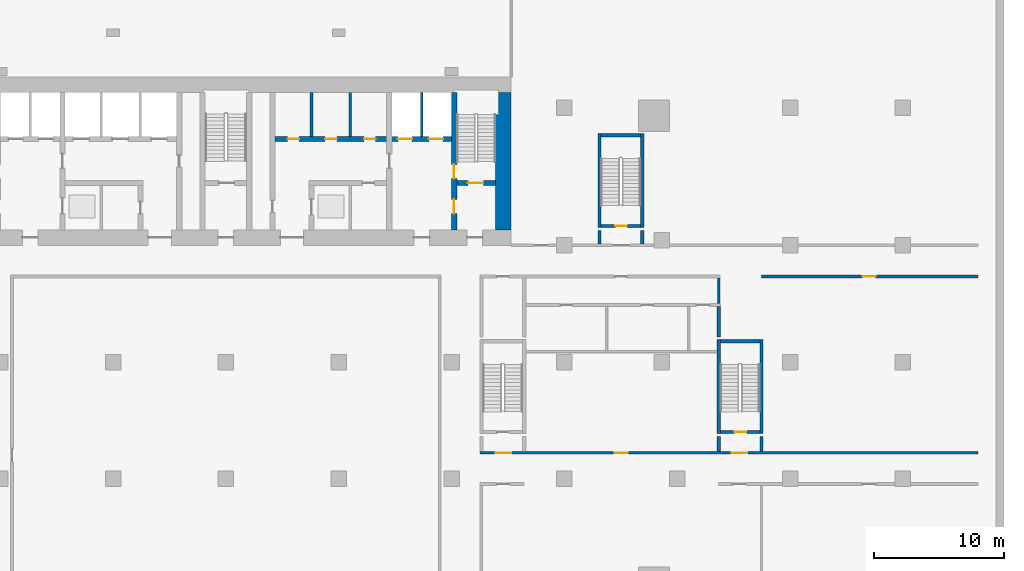
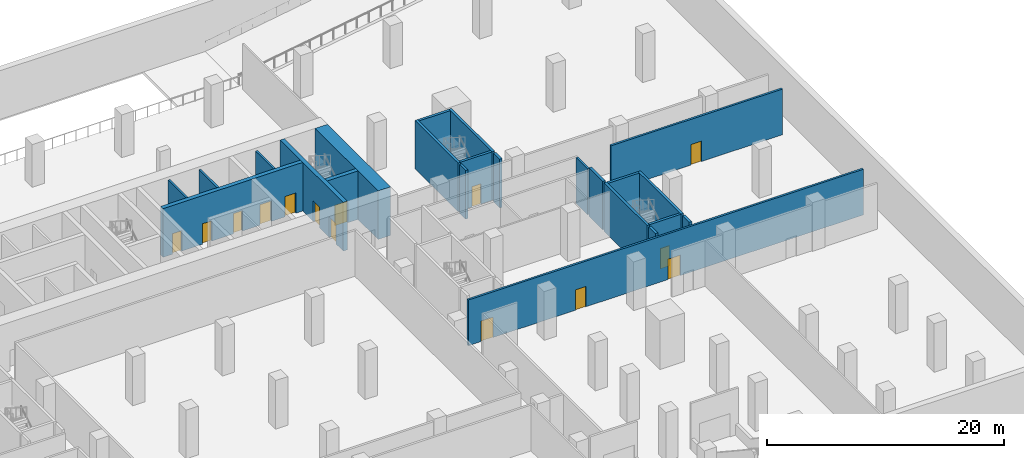
# One storey, part 9 of 16: 23 walls, 14 doors, 14 openings.
"""IFC4 building model written with IfcOpenShell, lengths in metres."""

from ifc_helpers import new_model, si_unit, direction, frame, frame_2d, origin, place, context, subcontext, project, spatial, rectangle, extrude, material, layer, layer_set, type_object, element, fill, save


model = new_model("IFC4")

# Units and contexts
model_context = context("Model", 3, precision=1e-05, world=origin(), true_north=direction((0.0, 1.0)))
body_context = subcontext(model_context, "Body", "Model", "MODEL_VIEW")
ifc_project = project(units=[si_unit("LENGTHUNIT", "METRE"), si_unit("AREAUNIT", "SQUARE_METRE"), si_unit("VOLUMEUNIT", "CUBIC_METRE"), si_unit("PLANEANGLEUNIT", "RADIAN"), si_unit("MASSUNIT", "GRAM", prefix="KILO")], contexts=[model_context])

# Site, building, storey
site_placement = place(None, origin())
site = spatial("IfcSite", under=ifc_project, at=site_placement, CompositionType="ELEMENT")
building_placement = place(site_placement, origin())
building = spatial("IfcBuilding", under=site, at=building_placement, Name="Bicima Exchange Tower", CompositionType="ELEMENT")
storey_placement = place(building_placement, frame((0.0, 0.0, -5.0)))
storey = spatial("IfcBuildingStorey", under=building, at=storey_placement, Name="B1", CompositionType="ELEMENT", Elevation=-5.0)

# Wall
ifc_material_1 = material(Name="Gypsum board partition")
ifc_layer_1 = layer(ifc_material_1, 0.199951171875)
ifc_layer_set_1 = layer_set([ifc_layer_1], Name="Gypsum board partition")
wall_type_1 = type_object("IfcWallType", Name="Fire-rated gypsum partition 200 EI120", PredefinedType="PARTITIONING", material=ifc_layer_set_1)
wall_1_placement = place(storey_placement, frame((15.10009765625, -4.60009765625, 0.0), z_axis=(0.0, 0.0, 1.0), x_axis=(0.0, 1.0, 0.0)))
element("IfcWall", 1, at=wall_1_placement, inside=storey, type_object=wall_type_1, Name="partition wall 24", PredefinedType="PARTITIONING", context=body_context, shape_type="SweptSolid", body=[
    extrude(rectangle(XDim=3.400146484375, YDim=0.199951171875, at=frame_2d((1.7001953125, 0.0))), origin(), (0.0, 0.0, 1.0), 4.699951171875),
])

# Wall, openings, doors
ifc_layer_2 = layer(ifc_material_1, 0.199951171875)
ifc_layer_set_2 = layer_set([ifc_layer_2], Name="Gypsum board partition")
wall_type_2 = type_object("IfcWallType", Name="Fire-rated gypsum partition 200 EI60", PredefinedType="PARTITIONING", material=ifc_layer_set_2)
wall_2_placement = place(storey_placement, frame((19.574951171875, -29.0, 0.0), z_axis=(0.0, 0.0, 1.0), x_axis=(1.0, 0.0, 0.0)))
wall_2 = element("IfcWall", 2, at=wall_2_placement, inside=storey, type_object=wall_type_2, Name="partition wall 7", PredefinedType="PARTITIONING", context=body_context, shape_type="SweptSolid", body=[
    extrude(rectangle(XDim=38.425048828125, YDim=0.199951171875, at=frame_2d((19.21240234375, 0.0))), origin(), (0.0, 0.0, 1.0), 4.699951171875),
])
opening_1_placement = place(wall_2_placement, frame((1.22509765625, 0.0, 0.0)))
opening_1 = element("IfcOpeningElement", 3, at=opening_1_placement, cuts=wall_2, Name="Opening B1-005", PredefinedType="OPENING", context=body_context, shape_type="SweptSolid", body=[
    extrude(rectangle(XDim=1.199951171875, YDim=2.10009765625, at=frame_2d((0.60009765625, 1.050048828125))), frame((0.0, 0.11181640625, 0.0), z_axis=(0.0, -1.0, 0.0), x_axis=(1.0, 0.0, 0.0)), (0.0, 0.0, 1.0), 0.223876953125),
])
opening_2_placement = place(wall_2_placement, frame((19.425048828125, 0.0, 0.0)))
opening_2 = element("IfcOpeningElement", 4, at=opening_2_placement, cuts=wall_2, Name="Opening B1-007", PredefinedType="OPENING", context=body_context, shape_type="SweptSolid", body=[
    extrude(rectangle(XDim=1.199951171875, YDim=2.10009765625, at=frame_2d((0.60009765625, 1.050048828125))), frame((0.0, 0.11181640625, 0.0), z_axis=(0.0, -1.0, 0.0), x_axis=(1.0, 0.0, 0.0)), (0.0, 0.0, 1.0), 0.223876953125),
])
opening_3_placement = place(wall_2_placement, frame((10.425048828125, 0.0, 0.0)))
opening_3 = element("IfcOpeningElement", 5, at=opening_3_placement, cuts=wall_2, Name="Opening B1-033", PredefinedType="OPENING", context=body_context, shape_type="SweptSolid", body=[
    extrude(rectangle(XDim=1.0, YDim=2.10009765625, at=frame_2d((0.5, 1.050048828125))), frame((0.0, 0.11181640625, 0.0), z_axis=(0.0, -1.0, 0.0), x_axis=(1.0, 0.0, 0.0)), (0.0, 0.0, 1.0), 0.223876953125),
])
ifc_material_2 = material(Name="Steel fire door leaf", Category="steel")
door_type_1 = type_object("IfcDoorType", Name="Door 1000 swing FD30S", OperationType="SINGLE_SWING_LEFT", PredefinedType="DOOR", material=ifc_material_2)
door_1_placement = place(opening_3_placement, origin())
door_1 = element("IfcDoor", 6, at=door_1_placement, inside=storey, type_object=door_type_1, Name="Door", OperationType="SINGLE_SWING_RIGHT", OverallHeight=2.10009765625, OverallWidth=1.0, PredefinedType="DOOR", context=body_context, shape_type="SweptSolid", body=[
    extrude(rectangle(XDim=1.0, YDim=2.10009765625, at=frame_2d((0.5, 1.050048828125))), frame((0.0, 0.02490234375, 0.0), z_axis=(0.0, -1.0, 0.0), x_axis=(1.0, 0.0, 0.0)), (0.0, 0.0, 1.0), 0.050048828125),
])
fill(opening_3, door_1)
door_type_2 = type_object("IfcDoorType", Name="Door 1200 swing FD30S", OperationType="SINGLE_SWING_LEFT", PredefinedType="DOOR", material=ifc_material_2)
door_2_placement = place(opening_1_placement, origin())
door_2 = element("IfcDoor", 7, at=door_2_placement, inside=storey, type_object=door_type_2, Name="Door", OperationType="SINGLE_SWING_LEFT", OverallHeight=2.10009765625, OverallWidth=1.199951171875, PredefinedType="DOOR", context=body_context, shape_type="SweptSolid", body=[
    extrude(rectangle(XDim=1.199951171875, YDim=2.10009765625, at=frame_2d((0.60009765625, 1.050048828125))), frame((0.0, 0.02490234375, 0.0), z_axis=(0.0, -1.0, 0.0), x_axis=(1.0, 0.0, 0.0)), (0.0, 0.0, 1.0), 0.050048828125),
])
fill(opening_1, door_2)
door_3_placement = place(opening_2_placement, origin())
door_3 = element("IfcDoor", 8, at=door_3_placement, inside=storey, type_object=door_type_2, Name="Door", OperationType="SINGLE_SWING_LEFT", OverallHeight=2.10009765625, OverallWidth=1.199951171875, PredefinedType="DOOR", context=body_context, shape_type="SweptSolid", body=[
    extrude(rectangle(XDim=1.199951171875, YDim=2.10009765625, at=frame_2d((0.60009765625, 1.050048828125))), frame((0.0, 0.02490234375, 0.0), z_axis=(0.0, -1.0, 0.0), x_axis=(1.0, 0.0, 0.0)), (0.0, 0.0, 1.0), 0.050048828125),
])
fill(opening_2, door_3)

# Wall, opening, door
wall_3_placement = place(storey_placement, frame((41.300048828125, -15.39990234375, 0.0), z_axis=(0.0, 0.0, 1.0), x_axis=(1.0, 0.0, 0.0)))
wall_3 = element("IfcWall", 9, at=wall_3_placement, inside=storey, type_object=wall_type_2, Name="partition wall 21", PredefinedType="PARTITIONING", context=body_context, shape_type="SweptSolid", body=[
    extrude(rectangle(XDim=16.699951171875, YDim=0.199951171875, at=frame_2d((8.35009765625, 0.0))), origin(), (0.0, 0.0, 1.0), 4.699951171875),
])
opening_4_placement = place(wall_3_placement, frame((7.800048828125, 0.0, 0.0)))
opening_4 = element("IfcOpeningElement", 10, at=opening_4_placement, cuts=wall_3, Name="Opening B1-035", PredefinedType="OPENING", context=body_context, shape_type="SweptSolid", body=[
    extrude(rectangle(XDim=1.0, YDim=2.10009765625, at=frame_2d((0.5, 1.050048828125))), frame((0.0, 0.11181640625, 0.0), z_axis=(0.0, -1.0, 0.0), x_axis=(1.0, 0.0, 0.0)), (0.0, 0.0, 1.0), 0.223876953125),
])
door_4_placement = place(opening_4_placement, frame((1.0, 0.0, 0.0), z_axis=(0.0, 0.0, 1.0), x_axis=(-1.0, 0.0, 0.0)))
door_4 = element("IfcDoor", 11, at=door_4_placement, inside=storey, type_object=door_type_1, Name="Door", OperationType="SINGLE_SWING_RIGHT", OverallHeight=2.10009765625, OverallWidth=1.0, PredefinedType="DOOR", context=body_context, shape_type="SweptSolid", body=[
    extrude(rectangle(XDim=1.0, YDim=2.10009765625, at=frame_2d((0.5, 1.050048828125))), frame((0.0, 0.02490234375, 0.0), z_axis=(0.0, -1.0, 0.0), x_axis=(1.0, 0.0, 0.0)), (0.0, 0.0, 1.0), 0.050048828125),
])
fill(opening_4, door_4)

# Walls
wall_4_placement = place(storey_placement, frame((38.0, -17.47998046875, 0.0), z_axis=(0.0, 0.0, 1.0), x_axis=(0.0, 1.0, 0.0)))
element("IfcWall", 12, at=wall_4_placement, inside=storey, type_object=wall_type_2, Name="partition wall 53", PredefinedType="PARTITIONING", context=body_context, shape_type="SweptSolid", body=[
    extrude(rectangle(XDim=1.9599609375, YDim=0.199951171875, at=frame_2d((0.97998046875, 0.0))), origin(), (0.0, 0.0, 1.0), 4.699951171875),
])
for number, where, z_axis, x_axis, name in (
    (13, (6.60009765625, -4.60009765625, 0.0), (0.0, 0.0, 1.0), (0.0, 1.0, 0.0), "partition wall 20"),
    (14, (9.60009765625, -4.60009765625, 0.0), (0.0, 0.0, 1.0), (0.0, 1.0, 0.0), "partition wall 22"),
):
    element("IfcWall", number, at=place(storey_placement, frame(where, z_axis=z_axis, x_axis=x_axis)), inside=storey, type_object=wall_type_2, Name=name, PredefinedType="PARTITIONING", context=body_context, shape_type="SweptSolid", body=[
        extrude(rectangle(XDim=3.400146484375, YDim=0.199951171875, at=frame_2d((1.7001953125, 0.0))), origin(), (0.0, 0.0, 1.0), 4.699951171875),
    ])
ifc_material_3 = material(Name="Concrete C60/75", Category="concrete")
ifc_layer_3 = layer(ifc_material_3, 1.199951171875)
ifc_layer_set_3 = layer_set([ifc_layer_3], Name="Concrete C60/75")
wall_type_3 = type_object("IfcWallType", Name="RC core wall 1200 C60/75", PredefinedType="SHEAR", material=ifc_layer_set_3)
wall_5_placement = place(storey_placement, frame((21.39990234375, -11.800048828125, 0.0), z_axis=(0.0, 0.0, 1.0), x_axis=(0.0, 1.0, 0.0)))
element("IfcWall", 15, at=wall_5_placement, inside=storey, type_object=wall_type_3, Name="Core wall east", PredefinedType="SHEAR", context=body_context, shape_type="SweptSolid", body=[
    extrude(rectangle(XDim=10.60009765625, YDim=1.199951171875, at=frame_2d((5.300048828125, 0.0))), origin(), (0.0, 0.0, 1.0), 5.0),
])
ifc_material_4 = material(Name="Concrete C50/60", Category="concrete")
ifc_layer_4 = layer(ifc_material_4, 0.25)
ifc_layer_set_4 = layer_set([ifc_layer_4], Name="Concrete C50/60")
wall_type_4 = type_object("IfcWallType", Name="RC core wall 250 C50/60", PredefinedType="SHEAR", material=ifc_layer_set_4)
for number, where, z_axis, x_axis, name in (
    (16, (28.800048828125, -12.89990234375, 0.0), (0.0, 0.0, 1.0), (0.0, 1.0, 0.0), "stair wall 48"),
    (17, (32.10009765625, -12.89990234375, 0.0), (0.0, 0.0, 1.0), (0.0, 1.0, 0.0), "stair wall 50"),
):
    element("IfcWall", number, at=place(storey_placement, frame(where, z_axis=z_axis, x_axis=x_axis)), inside=storey, type_object=wall_type_4, Name=name, PredefinedType="SHEAR", context=body_context, shape_type="SweptSolid", body=[
        extrude(rectangle(XDim=1.0498046875, YDim=0.25, at=frame_2d((0.52490234375, 0.0))), origin(), (0.0, 0.0, 1.0), 5.0),
    ])
wall_6_placement = place(storey_placement, frame((38.0, -28.89990234375, 0.0), z_axis=(0.0, 0.0, 1.0), x_axis=(0.0, 1.0, 0.0)))
element("IfcWall", 18, at=wall_6_placement, inside=storey, type_object=wall_type_4, Name="stair wall 52", PredefinedType="SHEAR", context=body_context, shape_type="SweptSolid", body=[
    extrude(rectangle(XDim=1.14990234375, YDim=0.25, at=frame_2d((0.574951171875, 0.0))), origin(), (0.0, 0.0, 1.0), 5.0),
])
wall_7_placement = place(storey_placement, frame((38.0, -20.050048828125, 0.0), z_axis=(0.0, 0.0, 1.0), x_axis=(0.0, 1.0, 0.0)))
element("IfcWall", 19, at=wall_7_placement, inside=storey, type_object=wall_type_4, Name="stair wall 52", PredefinedType="SHEAR", context=body_context, shape_type="SweptSolid", body=[
    extrude(rectangle(XDim=2.330078125, YDim=0.25, at=frame_2d((1.1650390625, 0.0))), origin(), (0.0, 0.0, 1.0), 5.0),
])
wall_8_placement = place(storey_placement, frame((41.300048828125, -28.89990234375, 0.0), z_axis=(0.0, 0.0, 1.0), x_axis=(0.0, 1.0, 0.0)))
element("IfcWall", 20, at=wall_8_placement, inside=storey, type_object=wall_type_4, Name="stair wall 55", PredefinedType="SHEAR", context=body_context, shape_type="SweptSolid", body=[
    extrude(rectangle(XDim=1.14990234375, YDim=0.25, at=frame_2d((0.574951171875, 0.0))), origin(), (0.0, 0.0, 1.0), 5.0),
])

# Wall, opening, door
ifc_layer_5 = layer(ifc_material_4, 0.39990234375)
ifc_layer_set_5 = layer_set([ifc_layer_5], Name="Concrete C50/60")
wall_type_5 = type_object("IfcWallType", Name="RC core wall 400 C50/60", PredefinedType="SHEAR", material=ifc_layer_set_5)
wall_9_placement = place(storey_placement, frame((17.800048828125, -8.199951171875, 0.0), z_axis=(0.0, 0.0, 1.0), x_axis=(1.0, 0.0, 0.0)))
wall_9 = element("IfcWall", 21, at=wall_9_placement, inside=storey, type_object=wall_type_5, Name="stair wall 5", PredefinedType="SHEAR", context=body_context, shape_type="SweptSolid", body=[
    extrude(rectangle(XDim=3.0, YDim=0.39990234375, at=frame_2d((1.5, 0.0))), origin(), (0.0, 0.0, 1.0), 5.0),
])
opening_5_placement = place(wall_9_placement, frame((0.85009765625, 0.0, 0.0)))
opening_5 = element("IfcOpeningElement", 22, at=opening_5_placement, cuts=wall_9, Name="Opening B1-C04", PredefinedType="OPENING", context=body_context, shape_type="SweptSolid", body=[
    extrude(rectangle(XDim=1.199951171875, YDim=2.10009765625, at=frame_2d((0.60009765625, 1.050048828125))), frame((0.0, 0.2119140625, 0.0), z_axis=(0.0, -1.0, 0.0), x_axis=(1.0, 0.0, 0.0)), (0.0, 0.0, 1.0), 0.423828125),
])
door_type_3 = type_object("IfcDoorType", Name="Door 1200 swing FD60S", OperationType="SINGLE_SWING_LEFT", PredefinedType="DOOR", material=ifc_material_2)
door_5_placement = place(opening_5_placement, origin())
door_5 = element("IfcDoor", 23, at=door_5_placement, inside=storey, type_object=door_type_3, Name="Core door", OperationType="SINGLE_SWING_RIGHT", OverallHeight=2.10009765625, OverallWidth=1.199951171875, PredefinedType="DOOR", context=body_context, shape_type="SweptSolid", body=[
    extrude(rectangle(XDim=1.199951171875, YDim=2.10009765625, at=frame_2d((0.60009765625, 1.050048828125))), frame((0.0, 0.02490234375, 0.0), z_axis=(0.0, -1.0, 0.0), x_axis=(1.0, 0.0, 0.0)), (0.0, 0.0, 1.0), 0.050048828125),
])
fill(opening_5, door_5)

# Wall, openings, doors
wall_10_placement = place(storey_placement, frame((17.60009765625, -11.800048828125, 0.0), z_axis=(0.0, 0.0, 1.0), x_axis=(0.0, 1.0, 0.0)))
wall_10 = element("IfcWall", 24, at=wall_10_placement, inside=storey, type_object=wall_type_5, Name="stair wall 25", PredefinedType="SHEAR", context=body_context, shape_type="SweptSolid", body=[
    extrude(rectangle(XDim=10.60009765625, YDim=0.39990234375, at=frame_2d((5.300048828125, 0.0))), origin(), (0.0, 0.0, 1.0), 5.0),
])
opening_6_placement = place(wall_10_placement, frame((1.25, 0.0, 0.0)))
opening_6 = element("IfcOpeningElement", 25, at=opening_6_placement, cuts=wall_10, Name="Opening B1-C05", PredefinedType="OPENING", context=body_context, shape_type="SweptSolid", body=[
    extrude(rectangle(XDim=1.10009765625, YDim=2.10009765625, at=frame_2d((0.550048828125, 1.050048828125))), frame((0.0, 0.2119140625, 0.0), z_axis=(0.0, -1.0, 0.0), x_axis=(1.0, 0.0, 0.0)), (0.0, 0.0, 1.0), 0.423828125),
])
opening_7_placement = place(wall_10_placement, frame((3.949951171875, 0.0, 0.0)))
opening_7 = element("IfcOpeningElement", 26, at=opening_7_placement, cuts=wall_10, Name="Opening B1-C08", PredefinedType="OPENING", context=body_context, shape_type="SweptSolid", body=[
    extrude(rectangle(XDim=1.10009765625, YDim=2.10009765625, at=frame_2d((0.550048828125, 1.050048828125))), frame((0.0, 0.2119140625, 0.0), z_axis=(0.0, -1.0, 0.0), x_axis=(1.0, 0.0, 0.0)), (0.0, 0.0, 1.0), 0.423828125),
])
door_type_4 = type_object("IfcDoorType", Name="Door 1100 swing FD60S", OperationType="SINGLE_SWING_LEFT", PredefinedType="DOOR", material=ifc_material_2)
door_6_placement = place(opening_6_placement, origin())
door_6 = element("IfcDoor", 27, at=door_6_placement, inside=storey, type_object=door_type_4, Name="Core door", OperationType="SINGLE_SWING_LEFT", OverallHeight=2.10009765625, OverallWidth=1.10009765625, PredefinedType="DOOR", context=body_context, shape_type="SweptSolid", body=[
    extrude(rectangle(XDim=1.10009765625, YDim=2.10009765625, at=frame_2d((0.550048828125, 1.050048828125))), frame((0.0, 0.02490234375, 0.0), z_axis=(0.0, -1.0, 0.0), x_axis=(1.0, 0.0, 0.0)), (0.0, 0.0, 1.0), 0.050048828125),
])
fill(opening_6, door_6)
door_7_placement = place(opening_7_placement, origin())
door_7 = element("IfcDoor", 28, at=door_7_placement, inside=storey, type_object=door_type_4, Name="Core door", OperationType="SINGLE_SWING_RIGHT", OverallHeight=2.10009765625, OverallWidth=1.10009765625, PredefinedType="DOOR", context=body_context, shape_type="SweptSolid", body=[
    extrude(rectangle(XDim=1.10009765625, YDim=2.10009765625, at=frame_2d((0.550048828125, 1.050048828125))), frame((0.0, 0.02490234375, 0.0), z_axis=(0.0, -1.0, 0.0), x_axis=(1.0, 0.0, 0.0)), (0.0, 0.0, 1.0), 0.050048828125),
])
fill(opening_7, door_7)

ifc_layer_6 = layer(ifc_material_3, 0.39990234375)
ifc_layer_set_6 = layer_set([ifc_layer_6], Name="Concrete C60/75")
wall_type_6 = type_object("IfcWallType", Name="RC core wall 400 C60/75", PredefinedType="SHEAR", material=ifc_layer_set_6)
wall_11_placement = place(storey_placement, frame((3.800048828125, -4.800048828125, 0.0), z_axis=(0.0, 0.0, 1.0), x_axis=(1.0, 0.0, 0.0)))
wall_11 = element("IfcWall", 29, at=wall_11_placement, inside=storey, type_object=wall_type_6, Name="shear wall 7", PredefinedType="SHEAR", context=body_context, shape_type="SweptSolid", body=[
    extrude(rectangle(XDim=13.599853515625, YDim=0.39990234375, at=frame_2d((6.7998046875, 0.0))), origin(), (0.0, 0.0, 1.0), 5.0),
])
opening_8_placement = place(wall_11_placement, frame((9.449951171875, 0.0, 0.0)))
opening_8 = element("IfcOpeningElement", 30, at=opening_8_placement, cuts=wall_11, Name="Opening LD-FF2-B1", PredefinedType="OPENING", context=body_context, shape_type="SweptSolid", body=[
    extrude(rectangle(XDim=1.10009765625, YDim=2.10009765625, at=frame_2d((0.550048828125, 1.050048828125))), frame((0.0, 0.2119140625, 0.0), z_axis=(0.0, -1.0, 0.0), x_axis=(1.0, 0.0, 0.0)), (0.0, 0.0, 1.0), 0.423828125),
])
opening_9_placement = place(wall_11_placement, frame((11.85009765625, 0.0, 0.0)))
opening_9 = element("IfcOpeningElement", 31, at=opening_9_placement, cuts=wall_11, Name="Opening LD-SV1-B1", PredefinedType="OPENING", context=body_context, shape_type="SweptSolid", body=[
    extrude(rectangle(XDim=1.10009765625, YDim=2.10009765625, at=frame_2d((0.550048828125, 1.050048828125))), frame((0.0, 0.2119140625, 0.0), z_axis=(0.0, -1.0, 0.0), x_axis=(1.0, 0.0, 0.0)), (0.0, 0.0, 1.0), 0.423828125),
])
opening_10_placement = place(wall_11_placement, frame((0.949951171875, 0.0, 0.0)))
opening_10 = element("IfcOpeningElement", 32, at=opening_10_placement, cuts=wall_11, Name="Opening B1-C12", PredefinedType="OPENING", context=body_context, shape_type="SweptSolid", body=[
    extrude(rectangle(XDim=0.89990234375, YDim=2.10009765625, at=frame_2d((0.449951171875, 1.050048828125))), frame((0.0, 0.2119140625, 0.0), z_axis=(0.0, -1.0, 0.0), x_axis=(1.0, 0.0, 0.0)), (0.0, 0.0, 1.0), 0.423828125),
])
opening_11_placement = place(wall_11_placement, frame((3.85009765625, 0.0, 0.0)))
opening_11 = element("IfcOpeningElement", 33, at=opening_11_placement, cuts=wall_11, Name="Opening B1-C13", PredefinedType="OPENING", context=body_context, shape_type="SweptSolid", body=[
    extrude(rectangle(XDim=0.89990234375, YDim=2.10009765625, at=frame_2d((0.449951171875, 1.050048828125))), frame((0.0, 0.2119140625, 0.0), z_axis=(0.0, -1.0, 0.0), x_axis=(1.0, 0.0, 0.0)), (0.0, 0.0, 1.0), 0.423828125),
])
opening_12_placement = place(wall_11_placement, frame((6.85009765625, 0.0, 0.0)))
opening_12 = element("IfcOpeningElement", 34, at=opening_12_placement, cuts=wall_11, Name="Opening B1-C14", PredefinedType="OPENING", context=body_context, shape_type="SweptSolid", body=[
    extrude(rectangle(XDim=0.89990234375, YDim=2.10009765625, at=frame_2d((0.449951171875, 1.050048828125))), frame((0.0, 0.2119140625, 0.0), z_axis=(0.0, -1.0, 0.0), x_axis=(1.0, 0.0, 0.0)), (0.0, 0.0, 1.0), 0.423828125),
])
door_type_5 = type_object("IfcDoorType", Name="Door 900 swing FD30S", OperationType="SINGLE_SWING_LEFT", PredefinedType="DOOR", material=ifc_material_2)
door_8_placement = place(opening_10_placement, origin())
door_8 = element("IfcDoor", 35, at=door_8_placement, inside=storey, type_object=door_type_5, Name="Core door", OperationType="SINGLE_SWING_RIGHT", OverallHeight=2.10009765625, OverallWidth=0.89990234375, PredefinedType="DOOR", context=body_context, shape_type="SweptSolid", body=[
    extrude(rectangle(XDim=0.89990234375, YDim=2.10009765625, at=frame_2d((0.449951171875, 1.050048828125))), frame((0.0, 0.02490234375, 0.0), z_axis=(0.0, -1.0, 0.0), x_axis=(1.0, 0.0, 0.0)), (0.0, 0.0, 1.0), 0.050048828125),
])
fill(opening_10, door_8)
door_9_placement = place(opening_11_placement, origin())
door_9 = element("IfcDoor", 36, at=door_9_placement, inside=storey, type_object=door_type_5, Name="Core door", OperationType="SINGLE_SWING_LEFT", OverallHeight=2.10009765625, OverallWidth=0.89990234375, PredefinedType="DOOR", context=body_context, shape_type="SweptSolid", body=[
    extrude(rectangle(XDim=0.89990234375, YDim=2.10009765625, at=frame_2d((0.449951171875, 1.050048828125))), frame((0.0, 0.02490234375, 0.0), z_axis=(0.0, -1.0, 0.0), x_axis=(1.0, 0.0, 0.0)), (0.0, 0.0, 1.0), 0.050048828125),
])
fill(opening_11, door_9)
door_10_placement = place(opening_12_placement, origin())
door_10 = element("IfcDoor", 37, at=door_10_placement, inside=storey, type_object=door_type_5, Name="Core door", OperationType="SINGLE_SWING_RIGHT", OverallHeight=2.10009765625, OverallWidth=0.89990234375, PredefinedType="DOOR", context=body_context, shape_type="SweptSolid", body=[
    extrude(rectangle(XDim=0.89990234375, YDim=2.10009765625, at=frame_2d((0.449951171875, 1.050048828125))), frame((0.0, 0.02490234375, 0.0), z_axis=(0.0, -1.0, 0.0), x_axis=(1.0, 0.0, 0.0)), (0.0, 0.0, 1.0), 0.050048828125),
])
fill(opening_12, door_10)
ifc_material_5 = material(Name="Stainless steel", Category="steel")
door_type_6 = type_object("IfcDoorType", Name="Lift landing door 1100 sliding", OperationType="DOUBLE_DOOR_SLIDING", PredefinedType="DOOR", material=ifc_material_5)
door_11_placement = place(opening_8_placement, origin())
door_11 = element("IfcDoor", 38, at=door_11_placement, inside=storey, type_object=door_type_6, Name="Lift landing door FF2", OperationType="DOUBLE_DOOR_SLIDING", OverallHeight=2.10009765625, OverallWidth=1.10009765625, PredefinedType="DOOR", context=body_context, shape_type="SweptSolid", body=[
    extrude(rectangle(XDim=1.10009765625, YDim=2.10009765625, at=frame_2d((0.550048828125, 1.050048828125))), frame((0.0, 0.02490234375, 0.0), z_axis=(0.0, -1.0, 0.0), x_axis=(1.0, 0.0, 0.0)), (0.0, 0.0, 1.0), 0.050048828125),
])
fill(opening_8, door_11)
door_12_placement = place(opening_9_placement, origin())
door_12 = element("IfcDoor", 39, at=door_12_placement, inside=storey, type_object=door_type_6, Name="Lift landing door SV1", OperationType="DOUBLE_DOOR_SLIDING", OverallHeight=2.10009765625, OverallWidth=1.10009765625, PredefinedType="DOOR", context=body_context, shape_type="SweptSolid", body=[
    extrude(rectangle(XDim=1.10009765625, YDim=2.10009765625, at=frame_2d((0.550048828125, 1.050048828125))), frame((0.0, 0.02490234375, 0.0), z_axis=(0.0, -1.0, 0.0), x_axis=(1.0, 0.0, 0.0)), (0.0, 0.0, 1.0), 0.050048828125),
])
fill(opening_9, door_12)

# Walls
ifc_layer_7 = layer(ifc_material_4, 0.25)
ifc_layer_set_7 = layer_set([ifc_layer_7], Name="Concrete C50/60")
wall_type_7 = type_object("IfcWallType", Name="RC stair enclosure wall 250 C50/60", PredefinedType="SHEAR", material=ifc_layer_set_7)
for number, where, z_axis, x_axis, name in (
    (40, (28.800048828125, -11.625, 0.0), (0.0, 0.0, 1.0), (0.0, 1.0, 0.0), "East end exit stair wall W"),
    (41, (32.10009765625, -11.625, 0.0), (0.0, 0.0, 1.0), (0.0, 1.0, 0.0), "East end exit stair wall E"),
):
    element("IfcWall", number, at=place(storey_placement, frame(where, z_axis=z_axis, x_axis=x_axis)), inside=storey, type_object=wall_type_7, Name=name, PredefinedType="SHEAR", context=body_context, shape_type="SweptSolid", body=[
        extrude(rectangle(XDim=7.25, YDim=0.25, at=frame_2d((3.625, 0.0))), origin(), (0.0, 0.0, 1.0), 5.0),
    ])

# Wall, opening, door
wall_12_placement = place(storey_placement, frame((28.925048828125, -11.5, 0.0), z_axis=(0.0, 0.0, 1.0), x_axis=(1.0, 0.0, 0.0)))
wall_12 = element("IfcWall", 42, at=wall_12_placement, inside=storey, type_object=wall_type_7, Name="East end exit stair wall S", PredefinedType="SHEAR", context=body_context, shape_type="SweptSolid", body=[
    extrude(rectangle(XDim=3.050048828125, YDim=0.25, at=frame_2d((1.52490234375, 0.0))), origin(), (0.0, 0.0, 1.0), 5.0),
])
opening_13_placement = place(wall_12_placement, frame((1.10009765625, 0.0, 0.0)))
opening_13 = element("IfcOpeningElement", 43, at=opening_13_placement, cuts=wall_12, Name="Opening B1-012", PredefinedType="OPENING", context=body_context, shape_type="SweptSolid", body=[
    extrude(rectangle(XDim=0.89990234375, YDim=2.10009765625, at=frame_2d((0.449951171875, 1.050048828125))), frame((0.0, 0.136962890625, 0.0), z_axis=(0.0, -1.0, 0.0), x_axis=(1.0, 0.0, 0.0)), (0.0, 0.0, 1.0), 0.27392578125),
])
door_type_7 = type_object("IfcDoorType", Name="Door 900 swing FD60S", OperationType="SINGLE_SWING_LEFT", PredefinedType="DOOR", material=ifc_material_2)
door_13_placement = place(opening_13_placement, origin())
door_13 = element("IfcDoor", 44, at=door_13_placement, inside=storey, type_object=door_type_7, Name="Door", OperationType="SINGLE_SWING_RIGHT", OverallHeight=2.10009765625, OverallWidth=0.89990234375, PredefinedType="DOOR", context=body_context, shape_type="SweptSolid", body=[
    extrude(rectangle(XDim=0.89990234375, YDim=2.10009765625, at=frame_2d((0.449951171875, 1.050048828125))), frame((0.0, 0.02490234375, 0.0), z_axis=(0.0, -1.0, 0.0), x_axis=(1.0, 0.0, 0.0)), (0.0, 0.0, 1.0), 0.050048828125),
])
fill(opening_13, door_13)

# Walls
wall_13_placement = place(storey_placement, frame((28.925048828125, -4.5, 0.0), z_axis=(0.0, 0.0, 1.0), x_axis=(1.0, 0.0, 0.0)))
element("IfcWall", 45, at=wall_13_placement, inside=storey, type_object=wall_type_7, Name="East end exit stair wall N", PredefinedType="SHEAR", context=body_context, shape_type="SweptSolid", body=[
    extrude(rectangle(XDim=3.050048828125, YDim=0.25, at=frame_2d((1.52490234375, 0.0))), origin(), (0.0, 0.0, 1.0), 5.0),
])
for number, where, z_axis, x_axis, name in (
    (46, (38.0, -27.52490234375, 0.0), (0.0, 0.0, 1.0), (0.0, 1.0, 0.0), "Podium east stair wall W"),
    (47, (41.300048828125, -27.52490234375, 0.0), (0.0, 0.0, 1.0), (0.0, 1.0, 0.0), "Podium east stair wall E"),
):
    element("IfcWall", number, at=place(storey_placement, frame(where, z_axis=z_axis, x_axis=x_axis)), inside=storey, type_object=wall_type_7, Name=name, PredefinedType="SHEAR", context=body_context, shape_type="SweptSolid", body=[
        extrude(rectangle(XDim=7.25, YDim=0.25, at=frame_2d((3.625, 0.0))), origin(), (0.0, 0.0, 1.0), 5.0),
    ])

# Wall, opening, door
wall_14_placement = place(storey_placement, frame((38.125, -27.39990234375, 0.0), z_axis=(0.0, 0.0, 1.0), x_axis=(1.0, 0.0, 0.0)))
wall_14 = element("IfcWall", 48, at=wall_14_placement, inside=storey, type_object=wall_type_7, Name="Podium east stair wall S", PredefinedType="SHEAR", context=body_context, shape_type="SweptSolid", body=[
    extrude(rectangle(XDim=3.050048828125, YDim=0.25, at=frame_2d((1.52490234375, 0.0))), origin(), (0.0, 0.0, 1.0), 5.0),
])
opening_14_placement = place(wall_14_placement, frame((1.10009765625, 0.0, 0.0)))
opening_14 = element("IfcOpeningElement", 49, at=opening_14_placement, cuts=wall_14, Name="Opening B1-008", PredefinedType="OPENING", context=body_context, shape_type="SweptSolid", body=[
    extrude(rectangle(XDim=0.89990234375, YDim=2.10009765625, at=frame_2d((0.449951171875, 1.050048828125))), frame((0.0, 0.136962890625, 0.0), z_axis=(0.0, -1.0, 0.0), x_axis=(1.0, 0.0, 0.0)), (0.0, 0.0, 1.0), 0.27392578125),
])
door_14_placement = place(opening_14_placement, origin())
door_14 = element("IfcDoor", 50, at=door_14_placement, inside=storey, type_object=door_type_7, Name="Door", OperationType="SINGLE_SWING_LEFT", OverallHeight=2.10009765625, OverallWidth=0.89990234375, PredefinedType="DOOR", context=body_context, shape_type="SweptSolid", body=[
    extrude(rectangle(XDim=0.89990234375, YDim=2.10009765625, at=frame_2d((0.449951171875, 1.050048828125))), frame((0.0, 0.02490234375, 0.0), z_axis=(0.0, -1.0, 0.0), x_axis=(1.0, 0.0, 0.0)), (0.0, 0.0, 1.0), 0.050048828125),
])
fill(opening_14, door_14)

# Wall
wall_15_placement = place(storey_placement, frame((38.125, -20.39990234375, 0.0), z_axis=(0.0, 0.0, 1.0), x_axis=(1.0, 0.0, 0.0)))
element("IfcWall", 51, at=wall_15_placement, inside=storey, type_object=wall_type_7, Name="Podium east stair wall N", PredefinedType="SHEAR", context=body_context, shape_type="SweptSolid", body=[
    extrude(rectangle(XDim=3.050048828125, YDim=0.25, at=frame_2d((1.52490234375, 0.0))), origin(), (0.0, 0.0, 1.0), 5.0),
])

save(model, "model.ifc")
